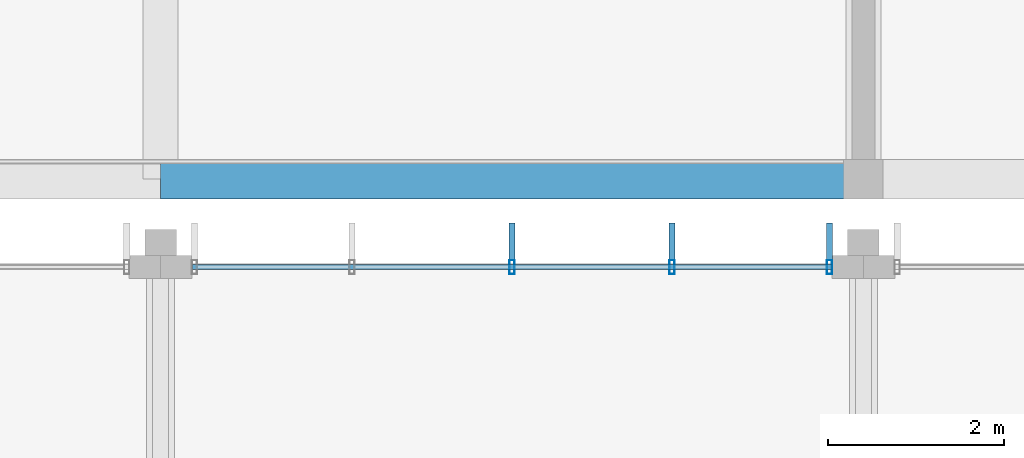
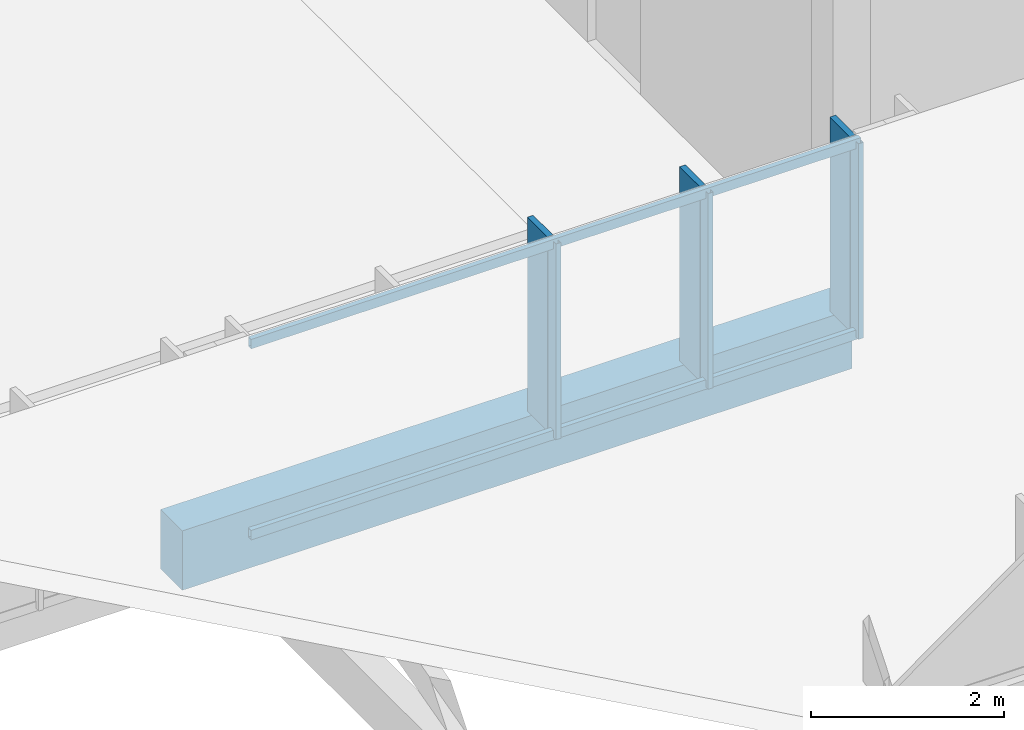
# One storey, part 37 of 94: 8 members, 1 beam, 1 element without a shape of its own.
"""IFC4 building model written with IfcOpenShell, lengths in metres."""

from ifc_helpers import new_model, si_unit, direction, frame, origin, origin_2d, place, context, subcontext, project, spatial, rectangle, hollow_rectangle, extrude, material, material_profile, profile_set, type_object, element, aggregate, save


model = new_model("IFC4")

# Units and contexts
model_context = context("Model", 3, precision=1e-05, world=origin(), true_north=direction((0.0, 1.0)))
body_context = subcontext(model_context, "Body", "Model", "MODEL_VIEW")
ifc_project = project(units=[si_unit("LENGTHUNIT", "METRE"), si_unit("AREAUNIT", "SQUARE_METRE"), si_unit("VOLUMEUNIT", "CUBIC_METRE"), si_unit("PLANEANGLEUNIT", "RADIAN"), si_unit("MASSUNIT", "GRAM", prefix="KILO")], contexts=[model_context])

# Site, building, storey
site_placement = place(None, origin())
site = spatial("IfcSite", under=ifc_project, at=site_placement, CompositionType="ELEMENT")
building_placement = place(site_placement, origin())
building = spatial("IfcBuilding", under=site, at=building_placement, Name="Chiffa Square Polytechnic", CompositionType="ELEMENT")
storey_placement = place(building_placement, frame((0.0, 0.0, 18.0)))
storey = spatial("IfcBuildingStorey", under=building, at=storey_placement, Name="L04", CompositionType="ELEMENT", Elevation=18.0)

# Beam
ifc_material_1 = material(Name="Concrete C35/45", Category="concrete")
ifc_material_profile_1 = material_profile(ifc_material_1, rectangle(XDim=0.449951171875, YDim=0.75, at=origin_2d()), Name="RC 450x750")
ifc_profile_set_1 = profile_set([ifc_material_profile_1], Name="Concrete C35/45")
beam_type = type_object("IfcBeamType", Name="BM-RC-450X750", PredefinedType="BEAM", material=ifc_profile_set_1)
beam_placement = place(storey_placement, frame((8.0, 94.949951171875, -0.614990234375), z_axis=(1.0, 0.0, 0.0), x_axis=(0.0, 1.0, 0.0)))
element("IfcBeam", 1, at=beam_placement, inside=storey, type_object=beam_type, Name="Primary floor girder BM-V5-L04-X-0080-0950", PredefinedType="BEAM", context=body_context, shape_type="SweptSolid", body=[
    extrude(rectangle(XDim=0.449951171875, YDim=0.75, at=origin_2d()), origin(), (0.0, 0.0, 1.0), 8.0),
])

# Curtain wall, members
ifc_material_2 = material(Name="Aluminium EN AW-6060 T66 and glulam shading", Category="wood")
curtain_wall_type = type_object("IfcCurtainWallType", Name="CW-VERT-450X380", PredefinedType="USERDEFINED", material=ifc_material_2)
curtain_wall_placement = place(storey_placement, origin())
curtain_wall = element("IfcCurtainWall", 2, at=curtain_wall_placement, inside=storey, type_object=curtain_wall_type, Name="Curtain wall CW-V6-SAW8-2", ObjectType="CURTAIN WALL", PredefinedType="USERDEFINED")
ifc_material_3 = material(Name="Aluminium EN AW-6060 T66", Category="aluminium")
ifc_material_profile_2 = material_profile(ifc_material_3, hollow_rectangle(XDim=0.06005859375, YDim=0.159912109375, WallThickness=0.00390625, at=origin_2d()), Name="ALU 60x160x4")
ifc_profile_set_2 = profile_set([ifc_material_profile_2], Name="Aluminium EN AW-6060 T66")
member_type_1 = type_object("IfcMemberType", Name="CWM-ALU-65X150", PredefinedType="MULLION", material=ifc_profile_set_2)
member_1_placement = place(storey_placement, frame((15.614990234375, 93.949951171875, 0.0400390625), z_axis=(0.0, 0.0, 1.0), x_axis=(1.0, 0.0, 0.0)))
member_1 = element("IfcMember", 3, at=member_1_placement, type_object=member_type_1, Name="Curtain wall mullion CW-V6-SAW8-2-M00", PredefinedType="MULLION", context=body_context, shape_type="SweptSolid", body=[
    extrude(hollow_rectangle(XDim=0.06005859375, YDim=0.159912109375, WallThickness=0.00390625, at=origin_2d()), origin(), (0.0, 0.0, 1.0), 2.471923828125),
])
member_2_placement = place(storey_placement, frame((13.820068359375, 93.949951171875, 0.0400390625), z_axis=(0.0, 0.0, 1.0), x_axis=(1.0, 0.0, 0.0)))
member_2 = element("IfcMember", 4, at=member_2_placement, type_object=member_type_1, Name="Curtain wall mullion CW-V6-SAW8-2-M01", PredefinedType="MULLION", context=body_context, shape_type="SweptSolid", body=[
    extrude(hollow_rectangle(XDim=0.06005859375, YDim=0.159912109375, WallThickness=0.00390625, at=origin_2d()), origin(), (0.0, 0.0, 1.0), 2.471923828125),
])
member_3_placement = place(storey_placement, frame((12.0, 93.949951171875, 0.0400390625), z_axis=(0.0, 0.0, 1.0), x_axis=(1.0, 0.0, 0.0)))
member_3 = element("IfcMember", 5, at=member_3_placement, type_object=member_type_1, Name="Curtain wall mullion CW-V6-SAW8-2-M02", PredefinedType="MULLION", context=body_context, shape_type="SweptSolid", body=[
    extrude(hollow_rectangle(XDim=0.06005859375, YDim=0.159912109375, WallThickness=0.00390625, at=origin_2d()), origin(), (0.0, 0.0, 1.0), 2.471923828125),
])
ifc_material_4 = material(Name="Glulam GL28h", Category="wood")
ifc_material_profile_3 = material_profile(ifc_material_4, rectangle(XDim=0.070068359375, YDim=0.419921875, at=origin_2d()), Name="GL28h 70x420")
ifc_profile_set_3 = profile_set([ifc_material_profile_3], Name="Glulam GL28h")
member_type_2 = type_object("IfcMemberType", Name="CWM-GL-70X420", PredefinedType="MULLION", material=ifc_profile_set_3)
member_4_placement = place(storey_placement, frame((15.614990234375, 94.241943359375, 0.050048828125), z_axis=(0.0, 0.0, 1.0), x_axis=(-1.0, 0.0, 0.0)))
member_4 = element("IfcMember", 6, at=member_4_placement, type_object=member_type_2, Name="Exterior glulam solar fin CW-V6-SAW8-2-FN00", PredefinedType="MULLION", context=body_context, shape_type="SweptSolid", body=[
    extrude(rectangle(XDim=0.070068359375, YDim=0.419921875, at=origin_2d()), origin(), (0.0, 0.0, 1.0), 2.451904296875),
])
member_5_placement = place(storey_placement, frame((13.820068359375, 94.241943359375, 0.050048828125), z_axis=(0.0, 0.0, 1.0), x_axis=(-1.0, 0.0, 0.0)))
member_5 = element("IfcMember", 7, at=member_5_placement, type_object=member_type_2, Name="Exterior glulam solar fin CW-V6-SAW8-2-FN01", PredefinedType="MULLION", context=body_context, shape_type="SweptSolid", body=[
    extrude(rectangle(XDim=0.070068359375, YDim=0.419921875, at=origin_2d()), origin(), (0.0, 0.0, 1.0), 2.451904296875),
])
member_6_placement = place(storey_placement, frame((12.0, 94.241943359375, 0.050048828125), z_axis=(0.0, 0.0, 1.0), x_axis=(-1.0, 0.0, 0.0)))
member_6 = element("IfcMember", 8, at=member_6_placement, type_object=member_type_2, Name="Exterior glulam solar fin CW-V6-SAW8-2-FN02", PredefinedType="MULLION", context=body_context, shape_type="SweptSolid", body=[
    extrude(rectangle(XDim=0.070068359375, YDim=0.419921875, at=origin_2d()), origin(), (0.0, 0.0, 1.0), 2.451904296875),
])
ifc_material_profile_4 = material_profile(ifc_material_3, hollow_rectangle(XDim=0.06005859375, YDim=0.1201171875, WallThickness=0.00390625, at=origin_2d()), Name="ALU 60x120x4")
ifc_profile_set_4 = profile_set([ifc_material_profile_4], Name="Aluminium EN AW-6060 T66")
member_type_3 = type_object("IfcMemberType", Name="CWT-ALU-65X120", PredefinedType="USERDEFINED", material=ifc_profile_set_4)
member_7_placement = place(storey_placement, frame((15.64208984375, 93.949951171875, 0.070068359375), z_axis=(-1.0, 0.0, 0.0), x_axis=(0.0, -1.0, 0.0)))
member_7 = element("IfcMember", 9, at=member_7_placement, type_object=member_type_3, Name="Curtain wall transom CW-V6-SAW8-2-T01", ObjectType="TRANSOM", PredefinedType="USERDEFINED", context=body_context, shape_type="SweptSolid", body=[
    extrude(hollow_rectangle(XDim=0.06005859375, YDim=0.1201171875, WallThickness=0.00390625, at=origin_2d()), origin(), (0.0, 0.0, 1.0), 7.2841796875),
])
member_8_placement = place(storey_placement, frame((15.64208984375, 93.949951171875, 2.48193359375), z_axis=(-1.0, 0.0, 0.0), x_axis=(0.0, -1.0, 0.0)))
member_8 = element("IfcMember", 10, at=member_8_placement, type_object=member_type_3, Name="Curtain wall transom CW-V6-SAW8-2-T02", ObjectType="TRANSOM", PredefinedType="USERDEFINED", context=body_context, shape_type="SweptSolid", body=[
    extrude(hollow_rectangle(XDim=0.06005859375, YDim=0.1201171875, WallThickness=0.00390625, at=origin_2d()), origin(), (0.0, 0.0, 1.0), 7.2841796875),
])
aggregate(curtain_wall, [member_1, member_4, member_2, member_5, member_3, member_6, member_7, member_8])

save(model, "model.ifc")
